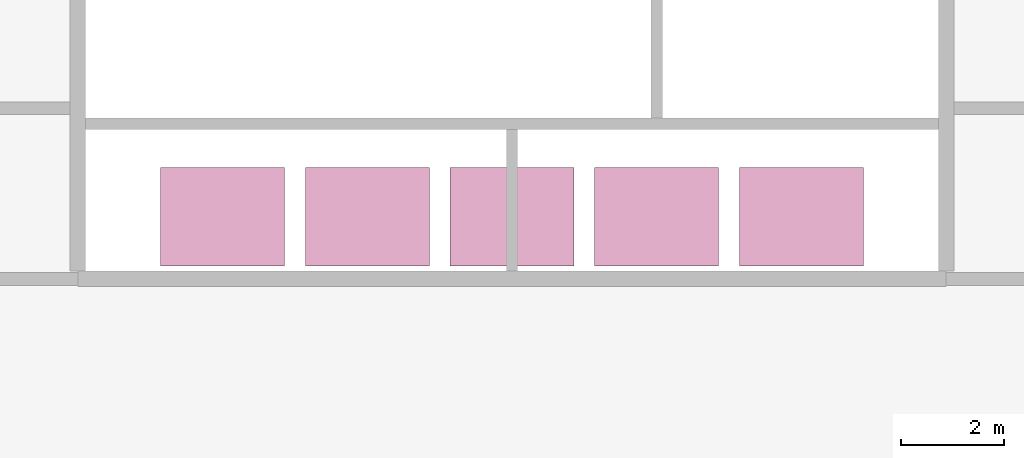
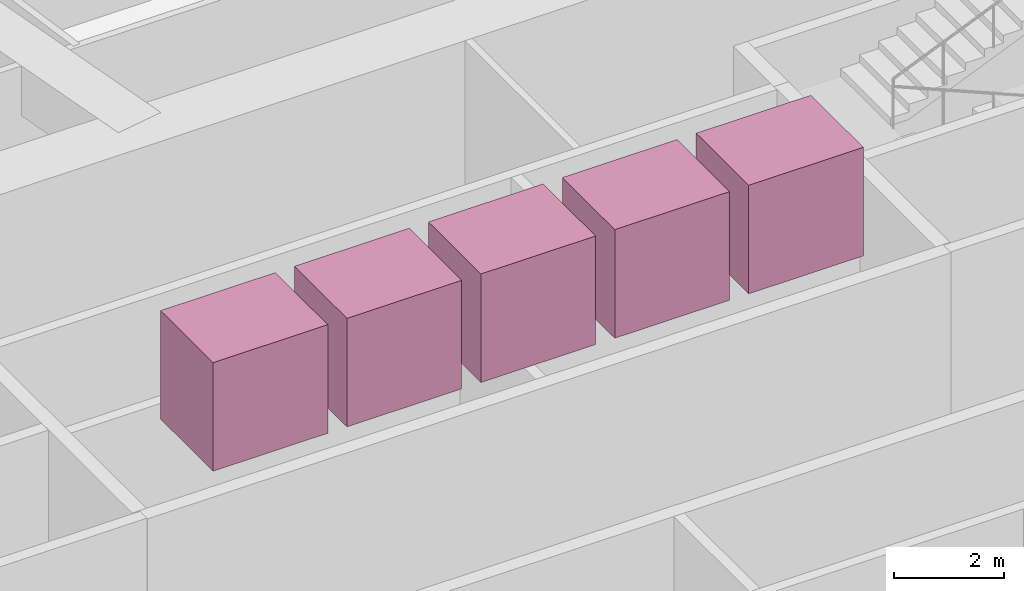
# One storey, part 12 of 12: 5 transport elements.
"""IFC4 building model written with IfcOpenShell, lengths in metres."""

import ifcopenshell
import ifcopenshell.guid

model = None  # the IFC model being written
_history = None  # IfcOwnerHistory: only IFC2X3 demands one
_inside = {}  # id of a spatial element -> (the spatial element, [elements in it])
_under = {}  # id of a project, library or spatial element -> (it, [spatial elements below it])
_declared = {}  # id of a project -> (the project, [libraries it declares])
_typed = {}  # id of a type object -> (the type object, [elements of that type])
_made_of = {}  # id of a material, layer set ... -> (it, [elements and type objects made of it])


def new_model(schema):
    """Start an empty IFC model of exactly this schema.

    Asked for "IFC4X3", IfcOpenShell would pick the latest addendum, in which some entities
    have other attributes; the version numbers below select the first issue.
    IFC2X3 requires an IfcOwnerHistory on every rooted entity: one is made here for all.
    """
    global model, _history
    if schema == "IFC4X3":
        model = ifcopenshell.file(schema_version=(4, 3, 0, 0))
    else:
        model = ifcopenshell.file(schema=schema)
    _inside.clear()
    _under.clear()
    _declared.clear()
    _typed.clear()
    _made_of.clear()
    _history = None
    if model.schema == "IFC2X3":
        org = make("IfcOrganization", Name="unknown")
        user = make(
            "IfcPersonAndOrganization",
            ThePerson=make("IfcPerson", FamilyName="unknown"),
            TheOrganization=org,
        )
        app = make(
            "IfcApplication",
            ApplicationDeveloper=org,
            Version="unknown",
            ApplicationFullName="unknown",
            ApplicationIdentifier="unknown",
        )
        _history = make(
            "IfcOwnerHistory",
            OwningUser=user,
            OwningApplication=app,
            ChangeAction="ADDED",
            CreationDate=0,
        )
    return model


def make(cls, **values):
    """One entity of the class cls with the attributes given. An attribute that is None is left unset."""
    return model.create_entity(
        cls, **{name: value for name, value in values.items() if value is not None}
    )


def rooted(cls, **values):
    """An entity with a GlobalId (a new one), such as an element, a storey or a relation."""
    return make(cls, GlobalId=ifcopenshell.guid.new(), OwnerHistory=_history, **values)


def si_unit(unit_type, name, prefix=None):
    """IfcSIUnit, for example si_unit("LENGTHUNIT", "METRE", prefix="MILLI")."""
    return make("IfcSIUnit", UnitType=unit_type, Prefix=prefix, Name=name)


def assignment(units):
    """IfcUnitAssignment: the units of a project."""
    return None if units is None else make("IfcUnitAssignment", Units=units)


def point(xyz):
    """IfcCartesianPoint."""
    return None if xyz is None else make("IfcCartesianPoint", Coordinates=xyz)


def direction(xyz):
    """IfcDirection."""
    return None if xyz is None else make("IfcDirection", DirectionRatios=xyz)


def frame(location, z_axis=None, x_axis=None):
    """IfcAxis2Placement3D, a coordinate frame: its origin and axes. An axis left out is left unset."""
    return make(
        "IfcAxis2Placement3D",
        Location=point(location),
        Axis=direction(z_axis),
        RefDirection=direction(x_axis),
    )


def frame_2d(location, x_axis=None):
    """IfcAxis2Placement2D, a coordinate frame in the plane: its origin and x axis."""
    return make(
        "IfcAxis2Placement2D", Location=point(location), RefDirection=direction(x_axis)
    )


def origin():
    """The frame at (0, 0, 0) with its axes left unset."""
    return frame((0.0, 0.0, 0.0))


def origin_2d():
    """The frame at (0, 0) in the plane with its x axis left unset."""
    return frame_2d((0.0, 0.0))


def place(relative_to, where):
    """IfcLocalPlacement: puts the frame where relative to a parent placement (None: the world)."""
    return make(
        "IfcLocalPlacement", PlacementRelTo=relative_to, RelativePlacement=where
    )


def context(
    kind, dimensions, precision=None, world=None, true_north=None, identifier=None
):
    """IfcGeometricRepresentationContext, for example the 3D "Model" context."""
    return make(
        "IfcGeometricRepresentationContext",
        ContextIdentifier=identifier,
        ContextType=kind,
        CoordinateSpaceDimension=dimensions,
        Precision=precision,
        WorldCoordinateSystem=world,
        TrueNorth=true_north,
    )


def subcontext(parent, identifier, kind, view, scale=None):
    """IfcGeometricRepresentationSubContext, for example "Body" below "Model"."""
    return make(
        "IfcGeometricRepresentationSubContext",
        ContextIdentifier=identifier,
        ContextType=kind,
        ParentContext=parent,
        TargetScale=scale,
        TargetView=view,
    )


def project(units=None, contexts=None):
    """IfcProject with its units and contexts."""
    return rooted(
        "IfcProject",
        Name="project",
        RepresentationContexts=contexts,
        UnitsInContext=assignment(units),
    )


def spatial(cls, under=None, at=None, **own):
    """A site, building, storey or space (cls), placed at a placement, below another one or the project."""
    s = rooted(cls, ObjectPlacement=at, **own)
    if under is not None:
        _under.setdefault(under.id(), (under, []))[1].append(s)
    return s


def profile(cls, at=None, kind="AREA", **sizes):
    """A parametric profile (cls). Its sizes go by their IFC names, for example OverallWidth=200.0."""
    return make(cls, ProfileType=kind, Position=at, **sizes)


def rectangle(**sizes):
    """IfcRectangleProfileDef."""
    return profile("IfcRectangleProfileDef", **sizes)


def extrude(swept, where, along, depth):
    """IfcExtrudedAreaSolid: the profile swept, set in the frame where, extruded along a direction by depth."""
    return make(
        "IfcExtrudedAreaSolid",
        SweptArea=swept,
        Position=where,
        ExtrudedDirection=direction(along),
        Depth=depth,
    )


def shape(context_of_items, identifier, shape_type, items):
    """IfcShapeRepresentation: the items that make up one representation, for example the "Body"."""
    return make(
        "IfcShapeRepresentation",
        ContextOfItems=context_of_items,
        RepresentationIdentifier=identifier,
        RepresentationType=shape_type,
        Items=items,
    )


def material(Name=None, Category=None):
    """IfcMaterial."""
    return make("IfcMaterial", Name=Name, Category=Category)


def made_of(thing, what):
    """Note that an element or type object is made of a material, layer set ...; save() writes the relation."""
    if what is not None:
        _made_of.setdefault(what.id(), (what, []))[1].append(thing)
    return thing


def type_object(cls, material=None, **own):
    """A type object (cls), such as IfcWallType, which elements share."""
    return made_of(rooted(cls, **own), material)


def element(
    cls,
    number,
    at=None,
    inside=None,
    cuts=None,
    type_object=None,
    material=None,
    context=None,
    identifier="Body",
    shape_type=None,
    held_by="IfcProductDefinitionShape",
    body=None,
    shapes=None,
    **own,
):
    """One element of the class cls, such as IfcWall. Its Tag is "e" and its number.

    at: its placement. inside: the storey or other place that contains it. cuts: it is an
    opening in that element (IfcRelVoidsElement). A single representation is given by context,
    identifier, shape_type and body (its items); several are given by shapes. held_by: the class
    of the entity that holds the representations. save() writes the other relations.
    """
    e = rooted(cls, Tag="e%d" % number, ObjectPlacement=at, **own)
    if body is not None:
        shapes = [shape(context, identifier, shape_type, body)]
    if shapes is not None:
        e.Representation = make(held_by, Representations=shapes)
    if inside is not None:
        _inside.setdefault(inside.id(), (inside, []))[1].append(e)
    if cuts is not None:
        rooted(
            "IfcRelVoidsElement", RelatingBuildingElement=cuts, RelatedOpeningElement=e
        )
    if type_object is not None:
        _typed.setdefault(type_object.id(), (type_object, []))[1].append(e)
    return made_of(e, material)


def aggregate(whole, parts):
    """IfcRelAggregates: a whole, such as a stair, and the parts it consists of."""
    return rooted("IfcRelAggregates", RelatingObject=whole, RelatedObjects=parts)


def save(model, path):
    """Write the relations noted so far, then the file.

    IfcRelAggregates (storeys below a building ...), IfcRelContainedInSpatialStructure (elements
    in a storey), IfcRelDefinesByType, IfcRelAssociatesMaterial and IfcRelDeclares: one each for
    every whole, place, type object, material and project.
    """
    for whole, parts in _under.values():
        aggregate(whole, parts)
    for where, things in _inside.values():
        rooted(
            "IfcRelContainedInSpatialStructure",
            RelatedElements=things,
            RelatingStructure=where,
        )
    for kind, things in _typed.values():
        rooted("IfcRelDefinesByType", RelatedObjects=things, RelatingType=kind)
    for what, things in _made_of.values():
        rooted("IfcRelAssociatesMaterial", RelatedObjects=things, RelatingMaterial=what)
    for by, libraries in _declared.values():
        rooted("IfcRelDeclares", RelatingContext=by, RelatedDefinitions=libraries)
    model.write(path)


model = new_model("IFC4")

# Units and contexts
model_context = context("Model", 3, precision=1e-05, world=origin(), true_north=direction((0.0, 1.0)))
body_context = subcontext(model_context, "Body", "Model", "MODEL_VIEW")
ifc_project = project(units=[si_unit("LENGTHUNIT", "METRE"), si_unit("AREAUNIT", "SQUARE_METRE"), si_unit("VOLUMEUNIT", "CUBIC_METRE"), si_unit("PLANEANGLEUNIT", "RADIAN"), si_unit("MASSUNIT", "GRAM", prefix="KILO")], contexts=[model_context])

# Site, building, storey
site_placement = place(None, origin())
site = spatial("IfcSite", under=ifc_project, at=site_placement, CompositionType="ELEMENT")
building_placement = place(site_placement, origin())
building = spatial("IfcBuilding", under=site, at=building_placement, Name="Marenthal Gate Tower", CompositionType="ELEMENT")
storey_placement = place(building_placement, frame((0.0, 0.0, 149.64990234375)))
storey = spatial("IfcBuildingStorey", under=building, at=storey_placement, Name="L32", CompositionType="ELEMENT", Elevation=149.64990234375)

# Transport elements
ifc_material = material(Name="Stainless steel and glass car", Category="steel")
transport_element_type = type_object("IfcTransportElementType", Name="Passenger lift 2400 x 1900", PredefinedType="ELEVATOR", material=ifc_material)
for number, where, z_axis, x_axis, name in (
    (1, (-5.60009765625, 3.550048828125, 6.000244140625), (0.0, 0.0, 1.0), (1.0, 0.0, 0.0), "Lift MP1"),
    (2, (-2.800048828125, 3.550048828125, 6.000244140625), (0.0, 0.0, 1.0), (1.0, 0.0, 0.0), "Lift MP2"),
    (3, (0.0, 3.550048828125, 6.000244140625), (0.0, 0.0, 1.0), (1.0, 0.0, 0.0), "Lift MP3"),
    (4, (2.800048828125, 3.550048828125, 6.000244140625), (0.0, 0.0, 1.0), (1.0, 0.0, 0.0), "Lift MP4"),
    (5, (5.60009765625, 3.550048828125, 6.000244140625), (0.0, 0.0, 1.0), (1.0, 0.0, 0.0), "Lift MP5"),
):
    element("IfcTransportElement", number, at=place(storey_placement, frame(where, z_axis=z_axis, x_axis=x_axis)), inside=storey, type_object=transport_element_type, Name=name, PredefinedType="ELEVATOR", context=body_context, shape_type="SweptSolid", body=[
        extrude(rectangle(XDim=2.39990234375, YDim=1.89990234375, at=origin_2d()), origin(), (0.0, 0.0, 1.0), 2.39990234375),
    ])

save(model, "model.ifc")
